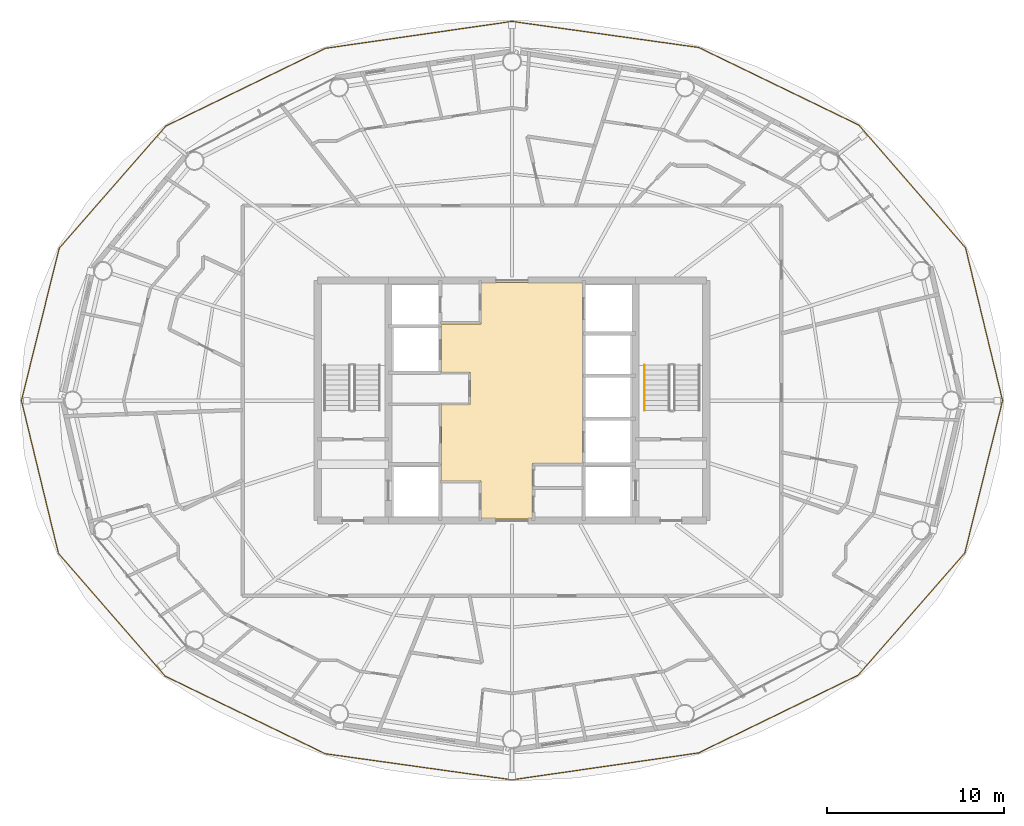
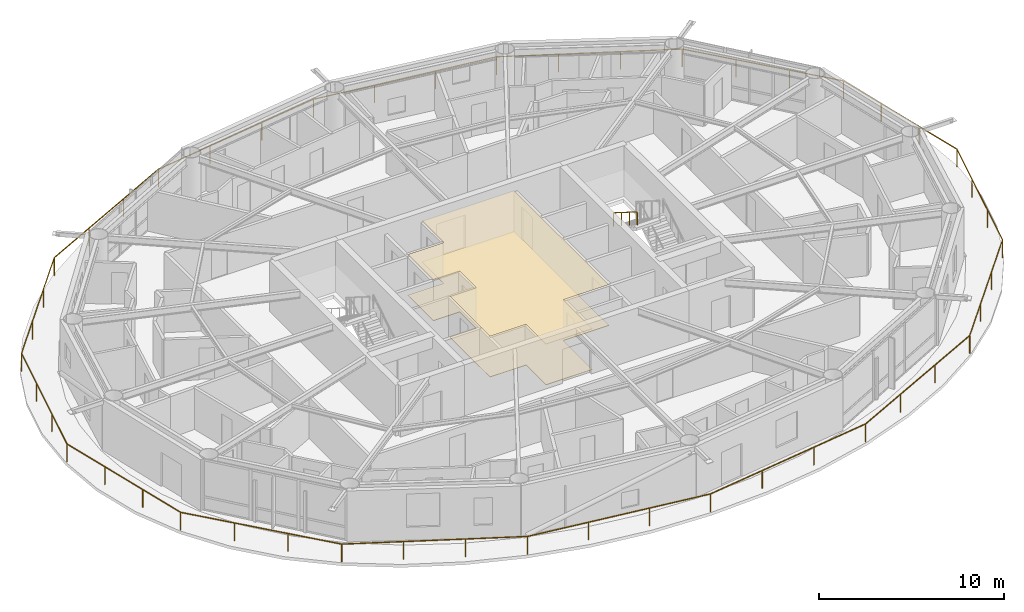
# One storey, part 22 of 23: 2 coverings, 2 railings.
"""IFC4 building model written with IfcOpenShell, lengths in metres."""

from ifc_helpers import new_model, si_unit, direction, frame, origin, origin_2d, place, context, subcontext, project, spatial, polyline, rectangle, outline, extrude, material, layer, layer_set, type_object, element, save


model = new_model("IFC4")

# Units and contexts
model_context = context("Model", 3, precision=1e-05, world=origin(), true_north=direction((0.0, 1.0)))
body_context = subcontext(model_context, "Body", "Model", "MODEL_VIEW")
ifc_project = project(units=[si_unit("LENGTHUNIT", "METRE"), si_unit("AREAUNIT", "SQUARE_METRE"), si_unit("VOLUMEUNIT", "CUBIC_METRE"), si_unit("PLANEANGLEUNIT", "RADIAN"), si_unit("MASSUNIT", "GRAM", prefix="KILO")], contexts=[model_context])

# Site, building, storey
site_placement = place(None, origin())
site = spatial("IfcSite", under=ifc_project, at=site_placement, CompositionType="ELEMENT")
building_placement = place(site_placement, origin())
building = spatial("IfcBuilding", under=site, at=building_placement, Name="Sarneth Arch Tower", CompositionType="ELEMENT")
storey_placement = place(building_placement, frame((0.0, 0.0, 242.39990234375)))
storey = spatial("IfcBuildingStorey", under=building, at=storey_placement, Name="L62", CompositionType="ELEMENT", Elevation=242.39990234375)

# Coverings
ifc_material_1 = material(Name="Perforated acoustic gypsum ceiling board")
ifc_layer_1 = layer(ifc_material_1, 0.02490234375)
ifc_layer_set_1 = layer_set([ifc_layer_1], Name="Perforated acoustic gypsum ceiling board")
covering_type_1 = type_object("IfcCoveringType", Name="COV-CEIL-GYP", PredefinedType="CEILING", material=ifc_layer_set_1)
covering_1_placement = place(storey_placement, frame((0.0, 0.0, 2.690185546875)))
element("IfcCovering", 1, at=covering_1_placement, inside=storey, type_object=covering_type_1, Name="L62 Lift lobby acoustic ceiling", PredefinedType="CEILING", context=body_context, shape_type="SweptSolid", body=[
    extrude(outline(polyline([(49.14990234375, 38.449951171875), (49.14990234375, 35.300048828125), (46.25, 35.300048828125), (46.25, 37.449951171875), (44.0, 37.449951171875), (44.0, 41.800048828125), (45.64990234375, 41.800048828125), (45.64990234375, 43.580078125), (44.0, 43.580078125), (44.0, 46.35009765625), (46.25, 46.35009765625), (46.25, 48.699951171875), (52.0, 48.699951171875), (52.0, 38.449951171875), (49.14990234375, 38.449951171875)])), origin(), (0.0, 0.0, 1.0), 0.030029296875),
])
ifc_material_2 = material(Name="Honed granite stone flooring", Category="masonry")
ifc_layer_2 = layer(ifc_material_2, 0.030029296875)
ifc_layer_set_2 = layer_set([ifc_layer_2], Name="Honed granite stone flooring")
covering_type_2 = type_object("IfcCoveringType", Name="COV-FLR-STONE", PredefinedType="FLOORING", material=ifc_layer_set_2)
covering_2_placement = place(storey_placement, origin())
element("IfcCovering", 2, at=covering_2_placement, inside=storey, type_object=covering_type_2, Name="L62 Lift lobby granite flooring", PredefinedType="FLOORING", context=body_context, shape_type="SweptSolid", body=[
    extrude(outline(polyline([(49.14990234375, 38.449951171875), (49.14990234375, 35.300048828125), (46.25, 35.300048828125), (46.25, 37.449951171875), (44.0, 37.449951171875), (44.0, 41.800048828125), (45.64990234375, 41.800048828125), (45.64990234375, 43.580078125), (44.0, 43.580078125), (44.0, 46.35009765625), (46.25, 46.35009765625), (46.25, 48.699951171875), (52.0, 48.699951171875), (52.0, 38.449951171875), (49.14990234375, 38.449951171875)])), origin(), (0.0, 0.0, 1.0), 0.030029296875),
])

# Railings
ifc_material_3 = material(Name="Laminated structural glass infill with Stainless Steel 316 top rail and posts", Category="steel")
railing_type_1 = type_object("IfcRailingType", Name="RAIL-BALC-1200", PredefinedType="BALUSTRADE", material=ifc_material_3)
railing_1_placement = place(storey_placement, frame((75.779052734375, 42.0, 0.0)))
element("IfcRailing", 3, at=railing_1_placement, inside=storey, type_object=railing_type_1, Name="L62 Helical balcony glass balustrade", PredefinedType="BALUSTRADE", context=body_context, shape_type="SweptSolid", body=[
    extrude(rectangle(XDim=0.048095703125, YDim=0.048095703125, at=origin_2d()), frame((0.0, 0.0, 1.17578125), z_axis=(-0.235683224853, 0.971829932407, 0.0), x_axis=(-0.971829932407, -0.235683224853, 0.0)), (0.0, 0.0, 1.0), 8.90234375),
    extrude(rectangle(XDim=0.048095703125, YDim=0.048095703125, at=origin_2d()), frame((-2.09814453125, 8.651611328125, 1.17578125), z_axis=(-0.65612228702, 0.754654586202, 0.0), x_axis=(-0.754654586202, -0.65612228702, 0.0)), (0.0, 0.0, 1.0), 9.21240234375),
    extrude(rectangle(XDim=0.048095703125, YDim=0.048095703125, at=origin_2d()), frame((-8.142578125, 15.603759765625, 1.17578125), z_axis=(-0.89993777994, 0.436018339334, 0.0), x_axis=(-0.436018339334, -0.89993777994, 0.0)), (0.0, 0.0, 1.0), 10.071533203125),
    extrude(rectangle(XDim=0.048095703125, YDim=0.048095703125, at=origin_2d()), frame((-17.206298828125, 19.9951171875, 1.17578125), z_axis=(-0.990388291125, 0.138314976787, 0.0), x_axis=(-0.138314976787, -0.990388291125, 0.0)), (0.0, 0.0, 1.0), 10.67529296875),
    extrude(rectangle(XDim=0.048095703125, YDim=0.048095703125, at=origin_2d()), frame((-27.779052734375, 21.4716796875, 1.17578125), z_axis=(-0.989763264235, -0.142718887224, 0.0), x_axis=(0.142718887224, -0.989763264235, 0.0)), (0.0, 0.0, 1.0), 10.66748046875),
    extrude(rectangle(XDim=0.048095703125, YDim=0.048095703125, at=origin_2d()), frame((-38.33740234375, 19.94921875, 1.17578125), z_axis=(-0.899103862188, -0.437735359547, 0.0), x_axis=(0.437735359547, -0.899103862188, 0.0)), (0.0, 0.0, 1.0), 10.051513671875),
    extrude(rectangle(XDim=0.048095703125, YDim=0.048095703125, at=origin_2d()), frame((-47.374755859375, 15.54931640625, 1.17578125), z_axis=(-0.657716047195, -0.753265956527, 0.0), x_axis=(0.753265956527, -0.657716047195, 0.0)), (0.0, 0.0, 1.0), 9.188232421875),
    extrude(rectangle(XDim=0.048095703125, YDim=0.048095703125, at=origin_2d()), frame((-53.41796875, 8.628173828125, 1.17578125), z_axis=(-0.240745236753, -0.970588342698, 0.0), x_axis=(0.970588342698, -0.240745236753, 0.0)), (0.0, 0.0, 1.0), 8.8896484375),
    extrude(rectangle(XDim=0.048095703125, YDim=0.048095703125, at=origin_2d()), frame((-55.55810546875, 0.0, 1.17578125), z_axis=(0.235683224853, -0.971829932407, 0.0), x_axis=(0.971829932407, 0.235683224853, 0.0)), (0.0, 0.0, 1.0), 8.90234375),
    extrude(rectangle(XDim=0.048095703125, YDim=0.048095703125, at=origin_2d()), frame((-53.4599609375, -8.651611328125, 1.17578125), z_axis=(0.65612228702, -0.754654586202, 0.0), x_axis=(0.754654586202, 0.65612228702, 0.0)), (0.0, 0.0, 1.0), 9.21240234375),
    extrude(rectangle(XDim=0.048095703125, YDim=0.048095703125, at=origin_2d()), frame((-47.41552734375, -15.603759765625, 1.17578125), z_axis=(0.89993777994, -0.436018339334, 0.0), x_axis=(0.436018339334, 0.89993777994, 0.0)), (0.0, 0.0, 1.0), 10.071533203125),
    extrude(rectangle(XDim=0.048095703125, YDim=0.048095703125, at=origin_2d()), frame((-38.351806640625, -19.9951171875, 1.17578125), z_axis=(0.990388291125, -0.138314976787, 0.0), x_axis=(0.138314976787, 0.990388291125, 0.0)), (0.0, 0.0, 1.0), 10.67529296875),
    extrude(rectangle(XDim=0.048095703125, YDim=0.048095703125, at=origin_2d()), frame((-27.779052734375, -21.4716796875, 1.17578125), z_axis=(0.989763264235, 0.142718887224, 0.0), x_axis=(-0.142718887224, 0.989763264235, 0.0)), (0.0, 0.0, 1.0), 10.66748046875),
    extrude(rectangle(XDim=0.048095703125, YDim=0.048095703125, at=origin_2d()), frame((-17.220703125, -19.94921875, 1.17578125), z_axis=(0.899103862188, 0.437735359547, 0.0), x_axis=(-0.437735359547, 0.899103862188, 0.0)), (0.0, 0.0, 1.0), 10.051513671875),
    extrude(rectangle(XDim=0.048095703125, YDim=0.048095703125, at=origin_2d()), frame((-8.183349609375, -15.54931640625, 1.17578125), z_axis=(0.657716047195, 0.753265956527, 0.0), x_axis=(-0.753265956527, 0.657716047195, 0.0)), (0.0, 0.0, 1.0), 9.188232421875),
    extrude(rectangle(XDim=0.048095703125, YDim=0.048095703125, at=origin_2d()), frame((-2.14013671875, -8.628173828125, 1.17578125), z_axis=(0.240745236753, 0.970588342698, 0.0), x_axis=(-0.970588342698, 0.240745236753, 0.0)), (0.0, 0.0, 1.0), 8.8896484375),
    extrude(rectangle(XDim=0.0419921875, YDim=0.0419921875, at=origin_2d()), origin(), (0.0, 0.0, 1.0), 1.15185546875),
    extrude(rectangle(XDim=0.0419921875, YDim=0.0419921875, at=origin_2d()), frame((-0.699462890625, 2.8837890625, 0.0)), (0.0, 0.0, 1.0), 1.15185546875),
    extrude(rectangle(XDim=0.0419921875, YDim=0.0419921875, at=origin_2d()), frame((-1.398681640625, 5.767822265625, 0.0)), (0.0, 0.0, 1.0), 1.15185546875),
    extrude(rectangle(XDim=0.0419921875, YDim=0.0419921875, at=origin_2d()), frame((-2.09814453125, 8.651611328125, 0.0)), (0.0, 0.0, 1.0), 1.15185546875),
    extrude(rectangle(XDim=0.0419921875, YDim=0.0419921875, at=origin_2d()), frame((-4.113037109375, 10.968994140625, 0.0)), (0.0, 0.0, 1.0), 1.15185546875),
    extrude(rectangle(XDim=0.0419921875, YDim=0.0419921875, at=origin_2d()), frame((-6.127685546875, 13.286376953125, 0.0)), (0.0, 0.0, 1.0), 1.15185546875),
    extrude(rectangle(XDim=0.0419921875, YDim=0.0419921875, at=origin_2d()), frame((-8.142578125, 15.603759765625, 0.0)), (0.0, 0.0, 1.0), 1.15185546875),
    extrude(rectangle(XDim=0.0419921875, YDim=0.0419921875, at=origin_2d()), frame((-11.163818359375, 17.067626953125, 0.0)), (0.0, 0.0, 1.0), 1.15185546875),
    extrude(rectangle(XDim=0.0419921875, YDim=0.0419921875, at=origin_2d()), frame((-14.18505859375, 18.53125, 0.0)), (0.0, 0.0, 1.0), 1.15185546875),
    extrude(rectangle(XDim=0.0419921875, YDim=0.0419921875, at=origin_2d()), frame((-17.206298828125, 19.9951171875, 0.0)), (0.0, 0.0, 1.0), 1.15185546875),
    extrude(rectangle(XDim=0.0419921875, YDim=0.0419921875, at=origin_2d()), frame((-20.73046875, 20.4873046875, 0.0)), (0.0, 0.0, 1.0), 1.15185546875),
    extrude(rectangle(XDim=0.0419921875, YDim=0.0419921875, at=origin_2d()), frame((-24.2548828125, 20.9794921875, 0.0)), (0.0, 0.0, 1.0), 1.15185546875),
    extrude(rectangle(XDim=0.0419921875, YDim=0.0419921875, at=origin_2d()), frame((-27.779052734375, 21.4716796875, 0.0)), (0.0, 0.0, 1.0), 1.15185546875),
    extrude(rectangle(XDim=0.0419921875, YDim=0.0419921875, at=origin_2d()), frame((-31.298583984375, 20.964111328125, 0.0)), (0.0, 0.0, 1.0), 1.15185546875),
    extrude(rectangle(XDim=0.0419921875, YDim=0.0419921875, at=origin_2d()), frame((-34.81787109375, 20.456787109375, 0.0)), (0.0, 0.0, 1.0), 1.15185546875),
    extrude(rectangle(XDim=0.0419921875, YDim=0.0419921875, at=origin_2d()), frame((-38.33740234375, 19.94921875, 0.0)), (0.0, 0.0, 1.0), 1.15185546875),
    extrude(rectangle(XDim=0.0419921875, YDim=0.0419921875, at=origin_2d()), frame((-41.349853515625, 18.482666015625, 0.0)), (0.0, 0.0, 1.0), 1.15185546875),
    extrude(rectangle(XDim=0.0419921875, YDim=0.0419921875, at=origin_2d()), frame((-44.3623046875, 17.015869140625, 0.0)), (0.0, 0.0, 1.0), 1.15185546875),
    extrude(rectangle(XDim=0.0419921875, YDim=0.0419921875, at=origin_2d()), frame((-47.374755859375, 15.54931640625, 0.0)), (0.0, 0.0, 1.0), 1.15185546875),
    extrude(rectangle(XDim=0.0419921875, YDim=0.0419921875, at=origin_2d()), frame((-49.38916015625, 13.2421875, 0.0)), (0.0, 0.0, 1.0), 1.15185546875),
    extrude(rectangle(XDim=0.0419921875, YDim=0.0419921875, at=origin_2d()), frame((-51.403564453125, 10.935302734375, 0.0)), (0.0, 0.0, 1.0), 1.15185546875),
    extrude(rectangle(XDim=0.0419921875, YDim=0.0419921875, at=origin_2d()), frame((-53.41796875, 8.628173828125, 0.0)), (0.0, 0.0, 1.0), 1.15185546875),
    extrude(rectangle(XDim=0.0419921875, YDim=0.0419921875, at=origin_2d()), frame((-54.13134765625, 5.752197265625, 0.0)), (0.0, 0.0, 1.0), 1.15185546875),
    extrude(rectangle(XDim=0.0419921875, YDim=0.0419921875, at=origin_2d()), frame((-54.8447265625, 2.8759765625, 0.0)), (0.0, 0.0, 1.0), 1.15185546875),
    extrude(rectangle(XDim=0.0419921875, YDim=0.0419921875, at=origin_2d()), frame((-55.55810546875, 0.0, 0.0)), (0.0, 0.0, 1.0), 1.15185546875),
    extrude(rectangle(XDim=0.0419921875, YDim=0.0419921875, at=origin_2d()), frame((-54.858642578125, -2.8837890625, 0.0)), (0.0, 0.0, 1.0), 1.15185546875),
    extrude(rectangle(XDim=0.0419921875, YDim=0.0419921875, at=origin_2d()), frame((-54.159423828125, -5.767822265625, 0.0)), (0.0, 0.0, 1.0), 1.15185546875),
    extrude(rectangle(XDim=0.0419921875, YDim=0.0419921875, at=origin_2d()), frame((-53.4599609375, -8.651611328125, 0.0)), (0.0, 0.0, 1.0), 1.15185546875),
    extrude(rectangle(XDim=0.0419921875, YDim=0.0419921875, at=origin_2d()), frame((-51.445068359375, -10.968994140625, 0.0)), (0.0, 0.0, 1.0), 1.15185546875),
    extrude(rectangle(XDim=0.0419921875, YDim=0.0419921875, at=origin_2d()), frame((-49.430419921875, -13.286376953125, 0.0)), (0.0, 0.0, 1.0), 1.15185546875),
    extrude(rectangle(XDim=0.0419921875, YDim=0.0419921875, at=origin_2d()), frame((-47.41552734375, -15.603759765625, 0.0)), (0.0, 0.0, 1.0), 1.15185546875),
    extrude(rectangle(XDim=0.0419921875, YDim=0.0419921875, at=origin_2d()), frame((-44.394287109375, -17.067626953125, 0.0)), (0.0, 0.0, 1.0), 1.15185546875),
    extrude(rectangle(XDim=0.0419921875, YDim=0.0419921875, at=origin_2d()), frame((-41.373046875, -18.53125, 0.0)), (0.0, 0.0, 1.0), 1.15185546875),
    extrude(rectangle(XDim=0.0419921875, YDim=0.0419921875, at=origin_2d()), frame((-38.351806640625, -19.9951171875, 0.0)), (0.0, 0.0, 1.0), 1.15185546875),
    extrude(rectangle(XDim=0.0419921875, YDim=0.0419921875, at=origin_2d()), frame((-34.82763671875, -20.4873046875, 0.0)), (0.0, 0.0, 1.0), 1.15185546875),
    extrude(rectangle(XDim=0.0419921875, YDim=0.0419921875, at=origin_2d()), frame((-31.30322265625, -20.9794921875, 0.0)), (0.0, 0.0, 1.0), 1.15185546875),
    extrude(rectangle(XDim=0.0419921875, YDim=0.0419921875, at=origin_2d()), frame((-27.779052734375, -21.4716796875, 0.0)), (0.0, 0.0, 1.0), 1.15185546875),
    extrude(rectangle(XDim=0.0419921875, YDim=0.0419921875, at=origin_2d()), frame((-24.259521484375, -20.964111328125, 0.0)), (0.0, 0.0, 1.0), 1.15185546875),
    extrude(rectangle(XDim=0.0419921875, YDim=0.0419921875, at=origin_2d()), frame((-20.740234375, -20.456787109375, 0.0)), (0.0, 0.0, 1.0), 1.15185546875),
    extrude(rectangle(XDim=0.0419921875, YDim=0.0419921875, at=origin_2d()), frame((-17.220703125, -19.94921875, 0.0)), (0.0, 0.0, 1.0), 1.15185546875),
    extrude(rectangle(XDim=0.0419921875, YDim=0.0419921875, at=origin_2d()), frame((-14.208251953125, -18.482666015625, 0.0)), (0.0, 0.0, 1.0), 1.15185546875),
    extrude(rectangle(XDim=0.0419921875, YDim=0.0419921875, at=origin_2d()), frame((-11.19580078125, -17.015869140625, 0.0)), (0.0, 0.0, 1.0), 1.15185546875),
    extrude(rectangle(XDim=0.0419921875, YDim=0.0419921875, at=origin_2d()), frame((-8.183349609375, -15.54931640625, 0.0)), (0.0, 0.0, 1.0), 1.15185546875),
    extrude(rectangle(XDim=0.0419921875, YDim=0.0419921875, at=origin_2d()), frame((-6.1689453125, -13.2421875, 0.0)), (0.0, 0.0, 1.0), 1.15185546875),
    extrude(rectangle(XDim=0.0419921875, YDim=0.0419921875, at=origin_2d()), frame((-4.154541015625, -10.935302734375, 0.0)), (0.0, 0.0, 1.0), 1.15185546875),
    extrude(rectangle(XDim=0.0419921875, YDim=0.0419921875, at=origin_2d()), frame((-2.14013671875, -8.628173828125, 0.0)), (0.0, 0.0, 1.0), 1.15185546875),
    extrude(rectangle(XDim=0.0419921875, YDim=0.0419921875, at=origin_2d()), frame((-1.4267578125, -5.752197265625, 0.0)), (0.0, 0.0, 1.0), 1.15185546875),
    extrude(rectangle(XDim=0.0419921875, YDim=0.0419921875, at=origin_2d()), frame((-0.71337890625, -2.8759765625, 0.0)), (0.0, 0.0, 1.0), 1.15185546875),
])
ifc_material_4 = material(Name="Brushed Stainless Steel 304 tubular handrail", Category="steel")
railing_type_2 = type_object("IfcRailingType", Name="RAIL-HANDRAIL-900", PredefinedType="HANDRAIL", material=ifc_material_4)
railing_2_placement = place(storey_placement, frame((55.5, 44.014892578125, 1.97998046875)))
element("IfcRailing", 4, at=railing_2_placement, inside=storey, type_object=railing_type_2, Name="L62 ST-2 stair handrail 2", PredefinedType="HANDRAIL", context=body_context, shape_type="SweptSolid", body=[
    extrude(rectangle(XDim=0.048095703125, YDim=0.048095703125, at=origin_2d()), frame((0.0, 0.0, 0.8759765625), z_axis=(0.0, -0.845465955043, 0.534029323973), x_axis=(1.0, 0.0, 0.0)), (0.0, 0.0, 1.0), 3.03369140625),
    extrude(rectangle(XDim=0.0419921875, YDim=0.0419921875, at=origin_2d()), origin(), (0.0, 0.0, 1.0), 0.851806640625),
    extrude(rectangle(XDim=0.0419921875, YDim=0.0419921875, at=origin_2d()), frame((0.0, -0.85498046875, 0.5400390625)), (0.0, 0.0, 1.0), 0.851806640625),
    extrude(rectangle(XDim=0.0419921875, YDim=0.0419921875, at=origin_2d()), frame((0.0, -1.7099609375, 1.080078125)), (0.0, 0.0, 1.0), 0.851806640625),
    extrude(rectangle(XDim=0.0419921875, YDim=0.0419921875, at=origin_2d()), frame((0.0, -2.56494140625, 1.6201171875)), (0.0, 0.0, 1.0), 0.851806640625),
])

save(model, "model.ifc")
